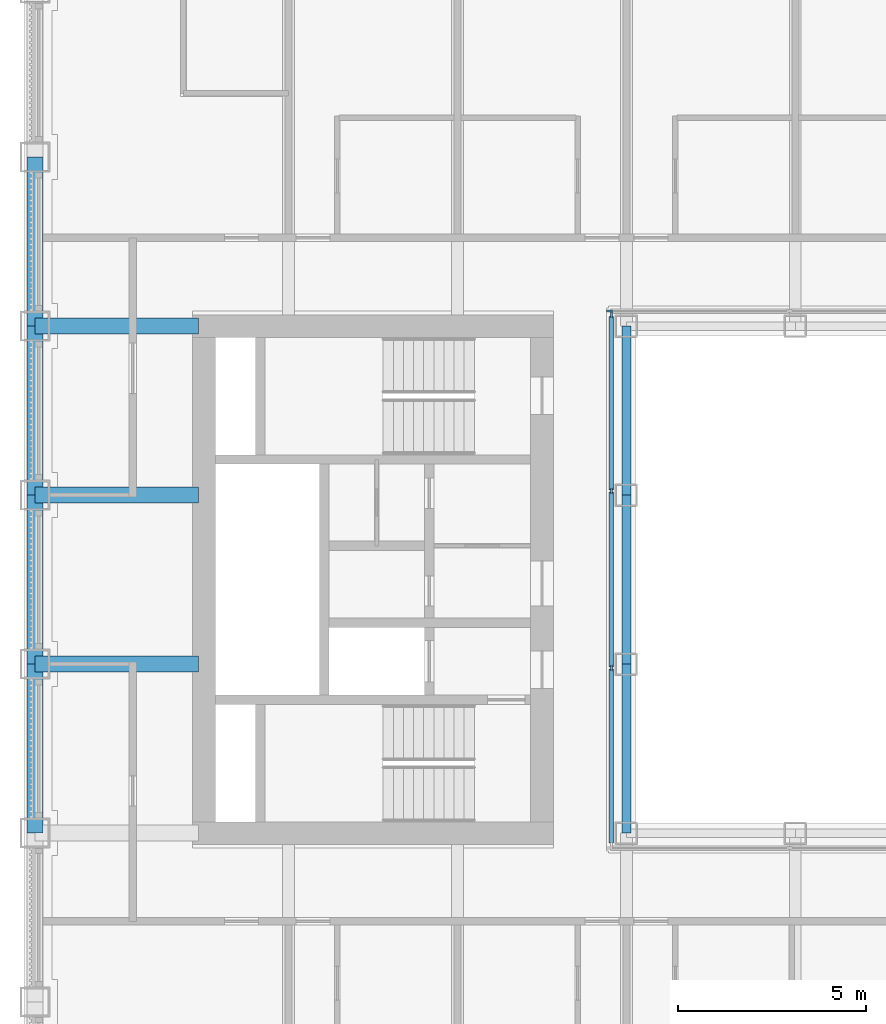
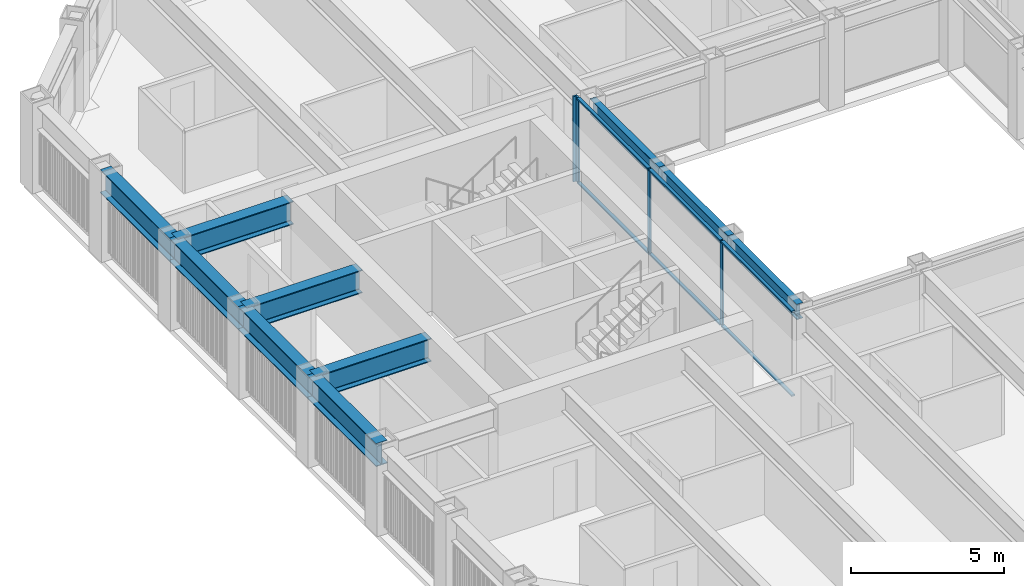
# One storey, part 4 of 17: 10 beams, 10 members, 2 elements without a shape of their own.
"""IFC4 building model written with IfcOpenShell, lengths in metres."""

from ifc_helpers import new_model, si_unit, direction, frame, origin, origin_2d, place, context, subcontext, project, spatial, rectangle, i_section, extrude, material, material_profile, profile_set, type_object, element, aggregate, save


model = new_model("IFC4")

# Units and contexts
model_context = context("Model", 3, precision=1e-05, world=origin(), true_north=direction((0.0, 1.0)))
body_context = subcontext(model_context, "Body", "Model", "MODEL_VIEW")
ifc_project = project(units=[si_unit("LENGTHUNIT", "METRE"), si_unit("AREAUNIT", "SQUARE_METRE"), si_unit("VOLUMEUNIT", "CUBIC_METRE"), si_unit("PLANEANGLEUNIT", "RADIAN"), si_unit("MASSUNIT", "GRAM", prefix="KILO")], contexts=[model_context])

# Site, building, storey
site_placement = place(None, origin())
site = spatial("IfcSite", under=ifc_project, at=site_placement, CompositionType="ELEMENT")
building_placement = place(site_placement, origin())
building = spatial("IfcBuilding", under=site, at=building_placement, Name="Msasa Ring Tower", CompositionType="ELEMENT")
storey_placement = place(building_placement, frame((0.0, 0.0, 140.0)))
storey = spatial("IfcBuildingStorey", under=building, at=storey_placement, Name="L36", CompositionType="ELEMENT", Elevation=140.0)

# Curtain wall, member
ifc_material_1 = material(Name="Aluminium curtain wall with clear glass", Category="aluminium")
curtain_wall_type = type_object("IfcCurtainWallType", Name="CW-W LIGHT WELL CURTAIN WALL", PredefinedType="NOTDEFINED", material=ifc_material_1)
curtain_wall_1_placement = place(storey_placement, origin())
curtain_wall_1 = element("IfcCurtainWall", 1, at=curtain_wall_1_placement, inside=storey, type_object=curtain_wall_type, Name="Light well curtain wall N L36", PredefinedType="NOTDEFINED")
ifc_material_2 = material(Name="Aluminium mullion", Category="aluminium")
ifc_material_profile_1 = material_profile(ifc_material_2, rectangle(XDim=0.06005859375, YDim=0.159912109375, at=origin_2d()), Name="AL 60x160")
ifc_profile_set_1 = profile_set([ifc_material_profile_1], Name="Aluminium mullion")
member_type_1 = type_object("IfcMemberType", Name="CW-W MULLION 60x160", PredefinedType="MULLION", material=ifc_profile_set_1)
member_1_placement = place(storey_placement, frame((-7.199951171875, 7.14990234375, 0.0), z_axis=(0.0, 0.0, 1.0), x_axis=(0.0, 1.0, 0.0)))
member_1 = element("IfcMember", 2, at=member_1_placement, type_object=member_type_1, Name="CW-W mullion 1", PredefinedType="MULLION", context=body_context, shape_type="SweptSolid", body=[
    extrude(rectangle(XDim=0.06005859375, YDim=0.159912109375, at=origin_2d()), origin(), (0.0, 0.0, 1.0), 3.39990234375),
])
aggregate(curtain_wall_1, [member_1])

# Curtain wall, members
curtain_wall_2_placement = place(storey_placement, origin())
curtain_wall_2 = element("IfcCurtainWall", 3, at=curtain_wall_2_placement, inside=storey, type_object=curtain_wall_type, Name="Light well curtain wall W L36", PredefinedType="NOTDEFINED")
member_2_placement = place(storey_placement, frame((-7.14990234375, -2.356689453125, 0.0), z_axis=(0.0, 0.0, 1.0), x_axis=(-1.0, 0.0, 0.0)))
member_2 = element("IfcMember", 4, at=member_2_placement, type_object=member_type_1, Name="CW-W mullion 2", PredefinedType="MULLION", context=body_context, shape_type="SweptSolid", body=[
    extrude(rectangle(XDim=0.06005859375, YDim=0.159912109375, at=origin_2d()), origin(), (0.0, 0.0, 1.0), 3.39990234375),
])
member_3_placement = place(storey_placement, frame((-7.14990234375, 2.356689453125, 0.0), z_axis=(0.0, 0.0, 1.0), x_axis=(-1.0, 0.0, 0.0)))
member_3 = element("IfcMember", 5, at=member_3_placement, type_object=member_type_1, Name="CW-W mullion 3", PredefinedType="MULLION", context=body_context, shape_type="SweptSolid", body=[
    extrude(rectangle(XDim=0.06005859375, YDim=0.159912109375, at=origin_2d()), origin(), (0.0, 0.0, 1.0), 3.39990234375),
])
member_4_placement = place(storey_placement, frame((-7.14990234375, 7.0400390625, 0.0), z_axis=(0.0, 0.0, 1.0), x_axis=(-1.0, 0.0, 0.0)))
member_4 = element("IfcMember", 6, at=member_4_placement, type_object=member_type_1, Name="CW-W mullion 4", PredefinedType="MULLION", context=body_context, shape_type="SweptSolid", body=[
    extrude(rectangle(XDim=0.06005859375, YDim=0.159912109375, at=origin_2d()), origin(), (0.0, 0.0, 1.0), 3.39990234375),
])
ifc_material_3 = material(Name="Aluminium transom", Category="aluminium")
ifc_material_profile_2 = material_profile(ifc_material_3, rectangle(XDim=0.1201171875, YDim=0.06005859375, at=origin_2d()), Name="AL 60x120")
ifc_profile_set_2 = profile_set([ifc_material_profile_2], Name="Aluminium transom")
member_type_2 = type_object("IfcMemberType", Name="CW-W TRANSOM 60x120", PredefinedType="USERDEFINED", material=ifc_profile_set_2)
member_5_placement = place(storey_placement, frame((-7.14990234375, -7.010009765625, 0.030029296875), z_axis=(0.0, 1.0, 0.0), x_axis=(-1.0, 0.0, 0.0)))
member_5 = element("IfcMember", 7, at=member_5_placement, type_object=member_type_2, Name="CW-W transom 1.1", ObjectType="TRANSOM", PredefinedType="USERDEFINED", context=body_context, shape_type="SweptSolid", body=[
    extrude(rectangle(XDim=0.1201171875, YDim=0.06005859375, at=origin_2d()), origin(), (0.0, 0.0, 1.0), 4.623291015625),
])
member_6_placement = place(storey_placement, frame((-7.14990234375, -7.010009765625, 3.3701171875), z_axis=(0.0, 1.0, 0.0), x_axis=(-1.0, 0.0, 0.0)))
member_6 = element("IfcMember", 8, at=member_6_placement, type_object=member_type_2, Name="CW-W transom 1.2", ObjectType="TRANSOM", PredefinedType="USERDEFINED", context=body_context, shape_type="SweptSolid", body=[
    extrude(rectangle(XDim=0.1201171875, YDim=0.06005859375, at=origin_2d()), origin(), (0.0, 0.0, 1.0), 4.623291015625),
])
member_7_placement = place(storey_placement, frame((-7.14990234375, -2.32666015625, 0.030029296875), z_axis=(0.0, 1.0, 0.0), x_axis=(-1.0, 0.0, 0.0)))
member_7 = element("IfcMember", 9, at=member_7_placement, type_object=member_type_2, Name="CW-W transom 2.1", ObjectType="TRANSOM", PredefinedType="USERDEFINED", context=body_context, shape_type="SweptSolid", body=[
    extrude(rectangle(XDim=0.1201171875, YDim=0.06005859375, at=origin_2d()), origin(), (0.0, 0.0, 1.0), 4.6533203125),
])
member_8_placement = place(storey_placement, frame((-7.14990234375, -2.32666015625, 3.3701171875), z_axis=(0.0, 1.0, 0.0), x_axis=(-1.0, 0.0, 0.0)))
member_8 = element("IfcMember", 10, at=member_8_placement, type_object=member_type_2, Name="CW-W transom 2.2", ObjectType="TRANSOM", PredefinedType="USERDEFINED", context=body_context, shape_type="SweptSolid", body=[
    extrude(rectangle(XDim=0.1201171875, YDim=0.06005859375, at=origin_2d()), origin(), (0.0, 0.0, 1.0), 4.6533203125),
])
member_9_placement = place(storey_placement, frame((-7.14990234375, 2.38671875, 0.030029296875), z_axis=(0.0, 1.0, 0.0), x_axis=(-1.0, 0.0, 0.0)))
member_9 = element("IfcMember", 11, at=member_9_placement, type_object=member_type_2, Name="CW-W transom 3.1", ObjectType="TRANSOM", PredefinedType="USERDEFINED", context=body_context, shape_type="SweptSolid", body=[
    extrude(rectangle(XDim=0.1201171875, YDim=0.06005859375, at=origin_2d()), origin(), (0.0, 0.0, 1.0), 4.623291015625),
])
member_10_placement = place(storey_placement, frame((-7.14990234375, 2.38671875, 3.3701171875), z_axis=(0.0, 1.0, 0.0), x_axis=(-1.0, 0.0, 0.0)))
member_10 = element("IfcMember", 12, at=member_10_placement, type_object=member_type_2, Name="CW-W transom 3.2", ObjectType="TRANSOM", PredefinedType="USERDEFINED", context=body_context, shape_type="SweptSolid", body=[
    extrude(rectangle(XDim=0.1201171875, YDim=0.06005859375, at=origin_2d()), origin(), (0.0, 0.0, 1.0), 4.623291015625),
])
aggregate(curtain_wall_2, [member_2, member_3, member_4, member_5, member_6, member_7, member_8, member_9, member_10])

# Beams
ifc_material_4 = material(Name="Steel S355", Category="steel")
ifc_material_profile_3 = material_profile(ifc_material_4, i_section(OverallWidth=0.42041015625, OverallDepth=0.9208984375, WebThickness=0.021484375, FlangeThickness=0.03662109375, FilletRadius=0.024169921875, at=origin_2d()), Name="UB 914x419x388")
ifc_profile_set_3 = profile_set([ifc_material_profile_3], Name="Steel S355")
beam_type_1 = type_object("IfcBeamType", Name="FB2 UB 914x419x388", PredefinedType="BEAM", material=ifc_profile_set_3)
for number, where, z_axis, x_axis, name in (
    (13, (-22.5, -2.25, 2.939453125), (1.0, 0.0, 0.0), (0.0, 1.0, 0.0), "Floor beam W -2.25 under L37"),
    (14, (-22.5, 2.25, 2.939453125), (1.0, 0.0, 0.0), (0.0, 1.0, 0.0), "Floor beam W +2.25 under L37"),
):
    element("IfcBeam", number, at=place(storey_placement, frame(where, z_axis=z_axis, x_axis=x_axis)), inside=storey, type_object=beam_type_1, Name=name, PredefinedType="BEAM", context=body_context, shape_type="SweptSolid", body=[
        extrude(i_section(OverallWidth=0.42041015625, OverallDepth=0.9208984375, WebThickness=0.021484375, FlangeThickness=0.03662109375, FilletRadius=0.024169921875, at=origin_2d()), origin(), (0.0, 0.0, 1.0), 4.35009765625),
    ])
ifc_material_5 = material(Name="Steel S355", Category="steel")
ifc_material_profile_4 = material_profile(ifc_material_5, i_section(OverallWidth=0.42041015625, OverallDepth=0.9208984375, WebThickness=0.021484375, FlangeThickness=0.03662109375, FilletRadius=0.024169921875, at=origin_2d()), Name="UB 914x419x388")
ifc_profile_set_4 = profile_set([ifc_material_profile_4], Name="Steel S355")
beam_type_2 = type_object("IfcBeamType", Name="GB1 UB 914x419x388", PredefinedType="BEAM", material=ifc_profile_set_4)
beam_placement = place(storey_placement, frame((-18.14990234375, 6.75, 2.939453125), z_axis=(-1.0, 0.0, 0.0), x_axis=(0.0, -1.0, 0.0)))
element("IfcBeam", 15, at=beam_placement, inside=storey, type_object=beam_type_2, Name="Girder W +6.75 under L37", PredefinedType="BEAM", context=body_context, shape_type="SweptSolid", body=[
    extrude(i_section(OverallWidth=0.42041015625, OverallDepth=0.9208984375, WebThickness=0.021484375, FlangeThickness=0.03662109375, FilletRadius=0.024169921875, at=origin_2d()), origin(), (0.0, 0.0, 1.0), 4.35009765625),
])
ifc_material_6 = material(Name="Steel S355", Category="steel")
ifc_material_profile_5 = material_profile(ifc_material_6, i_section(OverallWidth=0.230224609375, OverallDepth=0.6171875, WebThickness=0.01318359375, FlangeThickness=0.022216796875, FilletRadius=0.0126953125, at=origin_2d()), Name="UB 610x229x140")
ifc_profile_set_5 = profile_set([ifc_material_profile_5], Name="Steel S355")
beam_type_3 = type_object("IfcBeamType", Name="RB1 UB 610x229x140", PredefinedType="BEAM", material=ifc_profile_set_5)
for number, where, z_axis, x_axis, name in (
    (16, (-6.75, -2.25, 3.09130859375), (0.0, -1.0, 0.0), (1.0, 0.0, 0.0), "Inner ring beam IR-6.75-2.25 under L37"),
    (17, (-6.75, 6.75, 3.09130859375), (0.0, -1.0, 0.0), (1.0, 0.0, 0.0), "Inner ring beam IR-6.75+6.75 under L37"),
    (18, (-6.75, 2.25, 3.09130859375), (0.0, -1.0, 0.0), (1.0, 0.0, 0.0), "Inner ring beam IR-6.75+2.25 under L37"),
):
    element("IfcBeam", number, at=place(storey_placement, frame(where, z_axis=z_axis, x_axis=x_axis)), inside=storey, type_object=beam_type_3, Name=name, PredefinedType="BEAM", context=body_context, shape_type="SweptSolid", body=[
        extrude(i_section(OverallWidth=0.230224609375, OverallDepth=0.6171875, WebThickness=0.01318359375, FlangeThickness=0.022216796875, FilletRadius=0.0126953125, at=origin_2d()), origin(), (0.0, 0.0, 1.0), 4.5),
    ])
ifc_material_7 = material(Name="Steel S355", Category="steel")
ifc_material_profile_6 = material_profile(ifc_material_7, i_section(OverallWidth=0.42041015625, OverallDepth=0.9208984375, WebThickness=0.021484375, FlangeThickness=0.03662109375, FilletRadius=0.024169921875, at=origin_2d()), Name="UB 914x419x388")
ifc_profile_set_6 = profile_set([ifc_material_profile_6], Name="Steel S355")
beam_type_4 = type_object("IfcBeamType", Name="SB1 UB 914x419x388", PredefinedType="SPANDREL", material=ifc_profile_set_6)
for number, where, z_axis, x_axis, name in (
    (19, (-22.5, -2.25, 2.939453125), (0.0, -1.0, 0.0), (1.0, 0.0, 0.0), "Spandrel W-2.25 to W-6.75 under L37"),
    (20, (-22.5, 11.25, 2.939453125), (0.0, -1.0, 0.0), (1.0, 0.0, 0.0), "Spandrel W+11.25 to W+6.75 under L37"),
    (21, (-22.5, 6.75, 2.939453125), (0.0, -1.0, 0.0), (1.0, 0.0, 0.0), "Spandrel W+6.75 to W+2.25 under L37"),
    (22, (-22.5, 2.25, 2.939453125), (0.0, -1.0, 0.0), (1.0, 0.0, 0.0), "Spandrel W+2.25 to W-2.25 under L37"),
):
    element("IfcBeam", number, at=place(storey_placement, frame(where, z_axis=z_axis, x_axis=x_axis)), inside=storey, type_object=beam_type_4, Name=name, PredefinedType="SPANDREL", context=body_context, shape_type="SweptSolid", body=[
        extrude(i_section(OverallWidth=0.42041015625, OverallDepth=0.9208984375, WebThickness=0.021484375, FlangeThickness=0.03662109375, FilletRadius=0.024169921875, at=origin_2d()), origin(), (0.0, 0.0, 1.0), 4.5),
    ])

save(model, "model.ifc")
